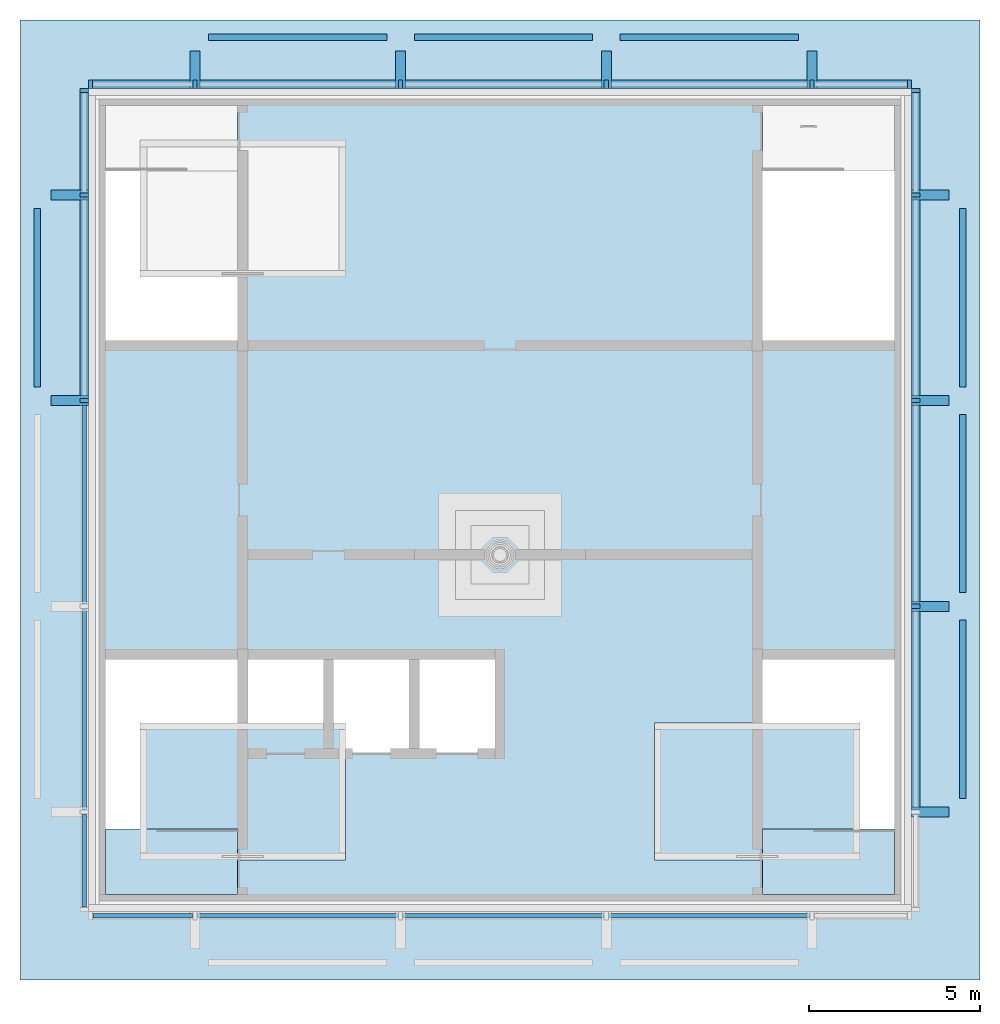
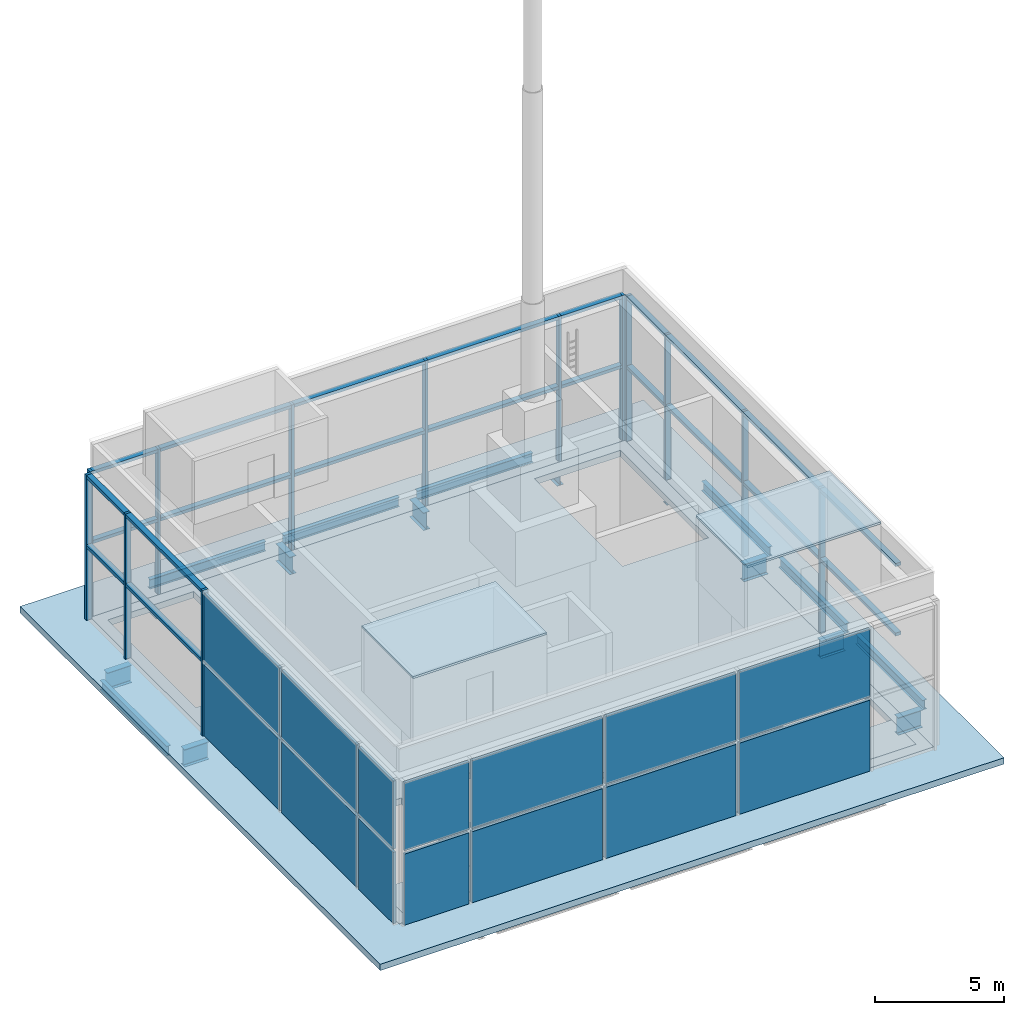
# One storey, part 2 of 8: 35 members, 17 beams, 16 plates, 4 slabs, 4 elements without a shape of their own.
"""IFC4 building model written with IfcOpenShell, lengths in metres."""

from ifc_helpers import new_model, si_unit, direction, frame, origin, origin_2d, place, context, subcontext, project, spatial, polyline, rectangle, i_section, outline, extrude, material, layer, layer_set, material_profile, profile_set, type_object, element, aggregate, save


model = new_model("IFC4")

# Units and contexts
model_context = context("Model", 3, precision=1e-05, world=origin(), true_north=direction((0.0, 1.0)))
body_context = subcontext(model_context, "Body", "Model", "MODEL_VIEW")
ifc_project = project(units=[si_unit("LENGTHUNIT", "METRE"), si_unit("AREAUNIT", "SQUARE_METRE"), si_unit("VOLUMEUNIT", "CUBIC_METRE"), si_unit("PLANEANGLEUNIT", "RADIAN"), si_unit("MASSUNIT", "GRAM", prefix="KILO")], contexts=[model_context])

# Site, building, storey
site_placement = place(None, origin())
site = spatial("IfcSite", under=ifc_project, at=site_placement, CompositionType="ELEMENT")
building_placement = place(site_placement, origin())
building = spatial("IfcBuilding", under=site, at=building_placement, Name="Amberfall Residences", CompositionType="ELEMENT")
storey_placement = place(building_placement, frame((0.0, 0.0, 301.60009765625)))
storey = spatial("IfcBuildingStorey", under=building, at=storey_placement, Name="L81 Crown", CompositionType="ELEMENT", Elevation=301.60009765625)

# Curtain wall, members
ifc_material_1 = material(Name="Bronze anodised aluminium and glass", Category="aluminium")
curtain_wall_type = type_object("IfcCurtainWallType", Name="Curtain wall CW6 crown louvre", PredefinedType="USERDEFINED", material=ifc_material_1)
curtain_wall_1_placement = place(storey_placement, origin())
curtain_wall_1 = element("IfcCurtainWall", 1, at=curtain_wall_1_placement, inside=storey, type_object=curtain_wall_type, Name="Curtain wall L81 Crown E E1", ObjectType="UNITISED CURTAIN WALL", PredefinedType="USERDEFINED")
ifc_material_2 = material(Name="Bronze anodised aluminium", Category="aluminium")
ifc_material_profile_1 = material_profile(ifc_material_2, rectangle(XDim=0.25, YDim=0.1201171875, at=origin_2d()), Name="CW6 mullion 120 x 250 bronze")
ifc_profile_set_1 = profile_set([ifc_material_profile_1], Name="Bronze anodised aluminium")
member_type_1 = type_object("IfcMemberType", Name="CW6 mullion 120 x 250 bronze", PredefinedType="MULLION", material=ifc_profile_set_1)
member_1_placement = place(storey_placement, frame((86.625, 42.39990234375, 0.0), z_axis=(0.0, 0.0, 1.0), x_axis=(-1.0, 0.0, 0.0)))
member_1 = element("IfcMember", 2, at=member_1_placement, type_object=member_type_1, Name="CW6 mullion 3", PredefinedType="MULLION", context=body_context, shape_type="SweptSolid", body=[
    extrude(rectangle(XDim=0.25, YDim=0.1201171875, at=origin_2d()), origin(), (0.0, 0.0, 1.0), 6.89990234375),
])
member_2_placement = place(storey_placement, frame((86.625, 48.39990234375, 0.0), z_axis=(0.0, 0.0, 1.0), x_axis=(-1.0, 0.0, 0.0)))
member_2 = element("IfcMember", 3, at=member_2_placement, type_object=member_type_1, Name="CW6 mullion 4", PredefinedType="MULLION", context=body_context, shape_type="SweptSolid", body=[
    extrude(rectangle(XDim=0.25, YDim=0.1201171875, at=origin_2d()), origin(), (0.0, 0.0, 1.0), 6.89990234375),
])
member_3_placement = place(storey_placement, frame((86.625, 54.39990234375, 0.0), z_axis=(0.0, 0.0, 1.0), x_axis=(-1.0, 0.0, 0.0)))
member_3 = element("IfcMember", 4, at=member_3_placement, type_object=member_type_1, Name="CW6 mullion 5", PredefinedType="MULLION", context=body_context, shape_type="SweptSolid", body=[
    extrude(rectangle(XDim=0.25, YDim=0.1201171875, at=origin_2d()), origin(), (0.0, 0.0, 1.0), 6.89990234375),
])
member_4_placement = place(storey_placement, frame((86.625, 57.43994140625, 0.0), z_axis=(0.0, 0.0, 1.0), x_axis=(-1.0, 0.0, 0.0)))
member_4 = element("IfcMember", 5, at=member_4_placement, type_object=member_type_1, Name="CW6 mullion 6", PredefinedType="MULLION", context=body_context, shape_type="SweptSolid", body=[
    extrude(rectangle(XDim=0.25, YDim=0.1201171875, at=origin_2d()), origin(), (0.0, 0.0, 1.0), 6.89990234375),
])

curtain_wall_2_placement = place(storey_placement, origin())
curtain_wall_2 = element("IfcCurtainWall", 6, at=curtain_wall_2_placement, inside=storey, type_object=curtain_wall_type, Name="Curtain wall L81 Crown N N1", ObjectType="UNITISED CURTAIN WALL", PredefinedType="USERDEFINED")
member_5_placement = place(storey_placement, frame((86.43994140625, 57.625, 0.0), z_axis=(0.0, 0.0, 1.0), x_axis=(0.0, -1.0, 0.0)))
member_5 = element("IfcMember", 7, at=member_5_placement, type_object=member_type_1, Name="CW6 mullion 1", PredefinedType="MULLION", context=body_context, shape_type="SweptSolid", body=[
    extrude(rectangle(XDim=0.25, YDim=0.1201171875, at=origin_2d()), origin(), (0.0, 0.0, 1.0), 6.89990234375),
])
member_6_placement = place(storey_placement, frame((83.60009765625, 57.625, 0.0), z_axis=(0.0, 0.0, 1.0), x_axis=(0.0, -1.0, 0.0)))
member_6 = element("IfcMember", 8, at=member_6_placement, type_object=member_type_1, Name="CW6 mullion 2", PredefinedType="MULLION", context=body_context, shape_type="SweptSolid", body=[
    extrude(rectangle(XDim=0.25, YDim=0.1201171875, at=origin_2d()), origin(), (0.0, 0.0, 1.0), 6.89990234375),
])
member_7_placement = place(storey_placement, frame((77.60009765625, 57.625, 0.0), z_axis=(0.0, 0.0, 1.0), x_axis=(0.0, -1.0, 0.0)))
member_7 = element("IfcMember", 9, at=member_7_placement, type_object=member_type_1, Name="CW6 mullion 3", PredefinedType="MULLION", context=body_context, shape_type="SweptSolid", body=[
    extrude(rectangle(XDim=0.25, YDim=0.1201171875, at=origin_2d()), origin(), (0.0, 0.0, 1.0), 6.89990234375),
])
member_8_placement = place(storey_placement, frame((71.60009765625, 57.625, 0.0), z_axis=(0.0, 0.0, 1.0), x_axis=(0.0, -1.0, 0.0)))
member_8 = element("IfcMember", 10, at=member_8_placement, type_object=member_type_1, Name="CW6 mullion 4", PredefinedType="MULLION", context=body_context, shape_type="SweptSolid", body=[
    extrude(rectangle(XDim=0.25, YDim=0.1201171875, at=origin_2d()), origin(), (0.0, 0.0, 1.0), 6.89990234375),
])
member_9_placement = place(storey_placement, frame((65.60009765625, 57.625, 0.0), z_axis=(0.0, 0.0, 1.0), x_axis=(0.0, -1.0, 0.0)))
member_9 = element("IfcMember", 11, at=member_9_placement, type_object=member_type_1, Name="CW6 mullion 5", PredefinedType="MULLION", context=body_context, shape_type="SweptSolid", body=[
    extrude(rectangle(XDim=0.25, YDim=0.1201171875, at=origin_2d()), origin(), (0.0, 0.0, 1.0), 6.89990234375),
])
member_10_placement = place(storey_placement, frame((62.56005859375, 57.625, 0.0), z_axis=(0.0, 0.0, 1.0), x_axis=(0.0, -1.0, 0.0)))
member_10 = element("IfcMember", 12, at=member_10_placement, type_object=member_type_1, Name="CW6 mullion 6", PredefinedType="MULLION", context=body_context, shape_type="SweptSolid", body=[
    extrude(rectangle(XDim=0.25, YDim=0.1201171875, at=origin_2d()), origin(), (0.0, 0.0, 1.0), 6.89990234375),
])

curtain_wall_3_placement = place(storey_placement, origin())
curtain_wall_3 = element("IfcCurtainWall", 13, at=curtain_wall_3_placement, inside=storey, type_object=curtain_wall_type, Name="Curtain wall L81 Crown W W1", ObjectType="UNITISED CURTAIN WALL", PredefinedType="USERDEFINED")
member_11_placement = place(storey_placement, frame((62.375, 57.43994140625, 0.0), z_axis=(0.0, 0.0, 1.0), x_axis=(1.0, 0.0, 0.0)))
member_11 = element("IfcMember", 14, at=member_11_placement, type_object=member_type_1, Name="CW6 mullion 1", PredefinedType="MULLION", context=body_context, shape_type="SweptSolid", body=[
    extrude(rectangle(XDim=0.25, YDim=0.1201171875, at=origin_2d()), origin(), (0.0, 0.0, 1.0), 6.89990234375),
])
member_12_placement = place(storey_placement, frame((62.375, 54.39990234375, 0.0), z_axis=(0.0, 0.0, 1.0), x_axis=(1.0, 0.0, 0.0)))
member_12 = element("IfcMember", 15, at=member_12_placement, type_object=member_type_1, Name="CW6 mullion 2", PredefinedType="MULLION", context=body_context, shape_type="SweptSolid", body=[
    extrude(rectangle(XDim=0.25, YDim=0.1201171875, at=origin_2d()), origin(), (0.0, 0.0, 1.0), 6.89990234375),
])
member_13_placement = place(storey_placement, frame((62.375, 48.39990234375, 0.0), z_axis=(0.0, 0.0, 1.0), x_axis=(1.0, 0.0, 0.0)))
member_13 = element("IfcMember", 16, at=member_13_placement, type_object=member_type_1, Name="CW6 mullion 3", PredefinedType="MULLION", context=body_context, shape_type="SweptSolid", body=[
    extrude(rectangle(XDim=0.25, YDim=0.1201171875, at=origin_2d()), origin(), (0.0, 0.0, 1.0), 6.89990234375),
])

# Member
ifc_material_profile_2 = material_profile(ifc_material_2, rectangle(XDim=0.25, YDim=0.14990234375, at=origin_2d()), Name="CW6 transom 250 x 150 bronze")
ifc_profile_set_2 = profile_set([ifc_material_profile_2], Name="Bronze anodised aluminium")
member_type_2 = type_object("IfcMemberType", Name="CW6 transom 250 x 150 bronze", PredefinedType="USERDEFINED", material=ifc_profile_set_2)
member_14_placement = place(storey_placement, frame((86.625, 36.4599609375, 3.52490234375), z_axis=(0.0, 1.0, 0.0), x_axis=(-1.0, 0.0, 0.0)))
member_14 = element("IfcMember", 17, at=member_14_placement, type_object=member_type_2, Name="CW6 transom 2.1", ObjectType="TRANSOM", PredefinedType="USERDEFINED", context=body_context, shape_type="SweptSolid", body=[
    extrude(rectangle(XDim=0.25, YDim=0.14990234375, at=origin_2d()), origin(), (0.0, 0.0, 1.0), 5.880126953125),
])

member_15_placement = place(storey_placement, frame((86.625, 36.4599609375, 6.824951171875), z_axis=(0.0, 1.0, 0.0), x_axis=(-1.0, 0.0, 0.0)))
member_15 = element("IfcMember", 18, at=member_15_placement, type_object=member_type_2, Name="CW6 transom 2.2", ObjectType="TRANSOM", PredefinedType="USERDEFINED", context=body_context, shape_type="SweptSolid", body=[
    extrude(rectangle(XDim=0.25, YDim=0.14990234375, at=origin_2d()), origin(), (0.0, 0.0, 1.0), 5.880126953125),
])

member_16_placement = place(storey_placement, frame((86.625, 42.4599609375, 3.52490234375), z_axis=(0.0, 1.0, 0.0), x_axis=(-1.0, 0.0, 0.0)))
member_16 = element("IfcMember", 19, at=member_16_placement, type_object=member_type_2, Name="CW6 transom 3.1", ObjectType="TRANSOM", PredefinedType="USERDEFINED", context=body_context, shape_type="SweptSolid", body=[
    extrude(rectangle(XDim=0.25, YDim=0.14990234375, at=origin_2d()), origin(), (0.0, 0.0, 1.0), 5.880126953125),
])

member_17_placement = place(storey_placement, frame((86.625, 42.4599609375, 6.824951171875), z_axis=(0.0, 1.0, 0.0), x_axis=(-1.0, 0.0, 0.0)))
member_17 = element("IfcMember", 20, at=member_17_placement, type_object=member_type_2, Name="CW6 transom 3.2", ObjectType="TRANSOM", PredefinedType="USERDEFINED", context=body_context, shape_type="SweptSolid", body=[
    extrude(rectangle(XDim=0.25, YDim=0.14990234375, at=origin_2d()), origin(), (0.0, 0.0, 1.0), 5.880126953125),
])

member_18_placement = place(storey_placement, frame((86.625, 48.4599609375, 3.52490234375), z_axis=(0.0, 1.0, 0.0), x_axis=(-1.0, 0.0, 0.0)))
member_18 = element("IfcMember", 21, at=member_18_placement, type_object=member_type_2, Name="CW6 transom 4.1", ObjectType="TRANSOM", PredefinedType="USERDEFINED", context=body_context, shape_type="SweptSolid", body=[
    extrude(rectangle(XDim=0.25, YDim=0.14990234375, at=origin_2d()), origin(), (0.0, 0.0, 1.0), 5.880126953125),
])

member_19_placement = place(storey_placement, frame((86.625, 48.4599609375, 6.824951171875), z_axis=(0.0, 1.0, 0.0), x_axis=(-1.0, 0.0, 0.0)))
member_19 = element("IfcMember", 22, at=member_19_placement, type_object=member_type_2, Name="CW6 transom 4.2", ObjectType="TRANSOM", PredefinedType="USERDEFINED", context=body_context, shape_type="SweptSolid", body=[
    extrude(rectangle(XDim=0.25, YDim=0.14990234375, at=origin_2d()), origin(), (0.0, 0.0, 1.0), 5.880126953125),
])

member_20_placement = place(storey_placement, frame((86.625, 54.4599609375, 3.52490234375), z_axis=(0.0, 1.0, 0.0), x_axis=(-1.0, 0.0, 0.0)))
member_20 = element("IfcMember", 23, at=member_20_placement, type_object=member_type_2, Name="CW6 transom 5.1", ObjectType="TRANSOM", PredefinedType="USERDEFINED", context=body_context, shape_type="SweptSolid", body=[
    extrude(rectangle(XDim=0.25, YDim=0.14990234375, at=origin_2d()), origin(), (0.0, 0.0, 1.0), 2.919921875),
])

member_21_placement = place(storey_placement, frame((86.625, 54.4599609375, 6.824951171875), z_axis=(0.0, 1.0, 0.0), x_axis=(-1.0, 0.0, 0.0)))
member_21 = element("IfcMember", 24, at=member_21_placement, type_object=member_type_2, Name="CW6 transom 5.2", ObjectType="TRANSOM", PredefinedType="USERDEFINED", context=body_context, shape_type="SweptSolid", body=[
    extrude(rectangle(XDim=0.25, YDim=0.14990234375, at=origin_2d()), origin(), (0.0, 0.0, 1.0), 2.919921875),
])

aggregate(curtain_wall_1, [member_1, member_2, member_3, member_4, member_14, member_15, member_16, member_17, member_18, member_19, member_20, member_21])

member_22_placement = place(storey_placement, frame((86.3798828125, 57.625, 3.52490234375), z_axis=(-1.0, 0.0, 0.0), x_axis=(0.0, -1.0, 0.0)))
member_22 = element("IfcMember", 25, at=member_22_placement, type_object=member_type_2, Name="CW6 transom 1.1", ObjectType="TRANSOM", PredefinedType="USERDEFINED", context=body_context, shape_type="SweptSolid", body=[
    extrude(rectangle(XDim=0.25, YDim=0.14990234375, at=origin_2d()), origin(), (0.0, 0.0, 1.0), 2.719970703125),
])

member_23_placement = place(storey_placement, frame((86.3798828125, 57.625, 6.824951171875), z_axis=(-1.0, 0.0, 0.0), x_axis=(0.0, -1.0, 0.0)))
member_23 = element("IfcMember", 26, at=member_23_placement, type_object=member_type_2, Name="CW6 transom 1.2", ObjectType="TRANSOM", PredefinedType="USERDEFINED", context=body_context, shape_type="SweptSolid", body=[
    extrude(rectangle(XDim=0.25, YDim=0.14990234375, at=origin_2d()), origin(), (0.0, 0.0, 1.0), 2.719970703125),
])

member_24_placement = place(storey_placement, frame((83.5400390625, 57.625, 3.52490234375), z_axis=(-1.0, 0.0, 0.0), x_axis=(0.0, -1.0, 0.0)))
member_24 = element("IfcMember", 27, at=member_24_placement, type_object=member_type_2, Name="CW6 transom 2.1", ObjectType="TRANSOM", PredefinedType="USERDEFINED", context=body_context, shape_type="SweptSolid", body=[
    extrude(rectangle(XDim=0.25, YDim=0.14990234375, at=origin_2d()), origin(), (0.0, 0.0, 1.0), 5.880126953125),
])

member_25_placement = place(storey_placement, frame((83.5400390625, 57.625, 6.824951171875), z_axis=(-1.0, 0.0, 0.0), x_axis=(0.0, -1.0, 0.0)))
member_25 = element("IfcMember", 28, at=member_25_placement, type_object=member_type_2, Name="CW6 transom 2.2", ObjectType="TRANSOM", PredefinedType="USERDEFINED", context=body_context, shape_type="SweptSolid", body=[
    extrude(rectangle(XDim=0.25, YDim=0.14990234375, at=origin_2d()), origin(), (0.0, 0.0, 1.0), 5.880126953125),
])

member_26_placement = place(storey_placement, frame((77.5400390625, 57.625, 3.52490234375), z_axis=(-1.0, 0.0, 0.0), x_axis=(0.0, -1.0, 0.0)))
member_26 = element("IfcMember", 29, at=member_26_placement, type_object=member_type_2, Name="CW6 transom 3.1", ObjectType="TRANSOM", PredefinedType="USERDEFINED", context=body_context, shape_type="SweptSolid", body=[
    extrude(rectangle(XDim=0.25, YDim=0.14990234375, at=origin_2d()), origin(), (0.0, 0.0, 1.0), 5.880126953125),
])

member_27_placement = place(storey_placement, frame((77.5400390625, 57.625, 6.824951171875), z_axis=(-1.0, 0.0, 0.0), x_axis=(0.0, -1.0, 0.0)))
member_27 = element("IfcMember", 30, at=member_27_placement, type_object=member_type_2, Name="CW6 transom 3.2", ObjectType="TRANSOM", PredefinedType="USERDEFINED", context=body_context, shape_type="SweptSolid", body=[
    extrude(rectangle(XDim=0.25, YDim=0.14990234375, at=origin_2d()), origin(), (0.0, 0.0, 1.0), 5.880126953125),
])

member_28_placement = place(storey_placement, frame((71.5400390625, 57.625, 3.52490234375), z_axis=(-1.0, 0.0, 0.0), x_axis=(0.0, -1.0, 0.0)))
member_28 = element("IfcMember", 31, at=member_28_placement, type_object=member_type_2, Name="CW6 transom 4.1", ObjectType="TRANSOM", PredefinedType="USERDEFINED", context=body_context, shape_type="SweptSolid", body=[
    extrude(rectangle(XDim=0.25, YDim=0.14990234375, at=origin_2d()), origin(), (0.0, 0.0, 1.0), 5.880126953125),
])

member_29_placement = place(storey_placement, frame((71.5400390625, 57.625, 6.824951171875), z_axis=(-1.0, 0.0, 0.0), x_axis=(0.0, -1.0, 0.0)))
member_29 = element("IfcMember", 32, at=member_29_placement, type_object=member_type_2, Name="CW6 transom 4.2", ObjectType="TRANSOM", PredefinedType="USERDEFINED", context=body_context, shape_type="SweptSolid", body=[
    extrude(rectangle(XDim=0.25, YDim=0.14990234375, at=origin_2d()), origin(), (0.0, 0.0, 1.0), 5.880126953125),
])

member_30_placement = place(storey_placement, frame((65.5400390625, 57.625, 3.52490234375), z_axis=(-1.0, 0.0, 0.0), x_axis=(0.0, -1.0, 0.0)))
member_30 = element("IfcMember", 33, at=member_30_placement, type_object=member_type_2, Name="CW6 transom 5.1", ObjectType="TRANSOM", PredefinedType="USERDEFINED", context=body_context, shape_type="SweptSolid", body=[
    extrude(rectangle(XDim=0.25, YDim=0.14990234375, at=origin_2d()), origin(), (0.0, 0.0, 1.0), 2.919921875),
])

member_31_placement = place(storey_placement, frame((65.5400390625, 57.625, 6.824951171875), z_axis=(-1.0, 0.0, 0.0), x_axis=(0.0, -1.0, 0.0)))
member_31 = element("IfcMember", 34, at=member_31_placement, type_object=member_type_2, Name="CW6 transom 5.2", ObjectType="TRANSOM", PredefinedType="USERDEFINED", context=body_context, shape_type="SweptSolid", body=[
    extrude(rectangle(XDim=0.25, YDim=0.14990234375, at=origin_2d()), origin(), (0.0, 0.0, 1.0), 2.919921875),
])

aggregate(curtain_wall_2, [member_5, member_6, member_7, member_8, member_9, member_10, member_22, member_23, member_24, member_25, member_26, member_27, member_28, member_29, member_30, member_31])

member_32_placement = place(storey_placement, frame((62.375, 57.3798828125, 3.52490234375), z_axis=(0.0, -1.0, 0.0), x_axis=(1.0, 0.0, 0.0)))
member_32 = element("IfcMember", 35, at=member_32_placement, type_object=member_type_2, Name="CW6 transom 1.1", ObjectType="TRANSOM", PredefinedType="USERDEFINED", context=body_context, shape_type="SweptSolid", body=[
    extrude(rectangle(XDim=0.25, YDim=0.14990234375, at=origin_2d()), origin(), (0.0, 0.0, 1.0), 2.919921875),
])

member_33_placement = place(storey_placement, frame((62.375, 57.3798828125, 6.824951171875), z_axis=(0.0, -1.0, 0.0), x_axis=(1.0, 0.0, 0.0)))
member_33 = element("IfcMember", 36, at=member_33_placement, type_object=member_type_2, Name="CW6 transom 1.2", ObjectType="TRANSOM", PredefinedType="USERDEFINED", context=body_context, shape_type="SweptSolid", body=[
    extrude(rectangle(XDim=0.25, YDim=0.14990234375, at=origin_2d()), origin(), (0.0, 0.0, 1.0), 2.919921875),
])

member_34_placement = place(storey_placement, frame((62.375, 54.340087890625, 3.52490234375), z_axis=(0.0, -1.0, 0.0), x_axis=(1.0, 0.0, 0.0)))
member_34 = element("IfcMember", 37, at=member_34_placement, type_object=member_type_2, Name="CW6 transom 2.1", ObjectType="TRANSOM", PredefinedType="USERDEFINED", context=body_context, shape_type="SweptSolid", body=[
    extrude(rectangle(XDim=0.25, YDim=0.14990234375, at=origin_2d()), origin(), (0.0, 0.0, 1.0), 5.880126953125),
])

member_35_placement = place(storey_placement, frame((62.375, 54.340087890625, 6.824951171875), z_axis=(0.0, -1.0, 0.0), x_axis=(1.0, 0.0, 0.0)))
member_35 = element("IfcMember", 38, at=member_35_placement, type_object=member_type_2, Name="CW6 transom 2.2", ObjectType="TRANSOM", PredefinedType="USERDEFINED", context=body_context, shape_type="SweptSolid", body=[
    extrude(rectangle(XDim=0.25, YDim=0.14990234375, at=origin_2d()), origin(), (0.0, 0.0, 1.0), 5.880126953125),
])

# Beams
ifc_material_3 = material(Name="Steel S355", Category="steel")
ifc_material_profile_3 = material_profile(ifc_material_3, i_section(OverallWidth=0.18994140625, OverallDepth=0.453369140625, WebThickness=0.008544921875, FlangeThickness=0.0126953125, FilletRadius=0.01025390625, at=origin_2d()), Name="UB 457x191x67")
ifc_profile_set_3 = profile_set([ifc_material_profile_3], Name="Steel S355")
beam_type_1 = type_object("IfcBeamType", Name="Edge beam UB 457x191x67", PredefinedType="SPANDREL", material=ifc_profile_set_3)
for number, where, z_axis, x_axis, name in (
    (39, (88.0, 36.800048828125, -0.52685546875), (0.0, 1.0, 0.0), (-1.0, 0.0, 0.0), "Edge beam B1 L81 Crown 08"),
    (40, (88.0, 42.800048828125, -0.52685546875), (0.0, 1.0, 0.0), (-1.0, 0.0, 0.0), "Edge beam B1 L81 Crown 09"),
    (41, (88.0, 48.800048828125, -0.52685546875), (0.0, 1.0, 0.0), (-1.0, 0.0, 0.0), "Edge beam B1 L81 Crown 10"),
    (42, (66.0, 59.0, -0.52685546875), (1.0, 0.0, 0.0), (0.0, 1.0, 0.0), "Edge beam B1 L81 Crown 15"),
    (43, (72.0, 59.0, -0.52685546875), (1.0, 0.0, 0.0), (0.0, 1.0, 0.0), "Edge beam B1 L81 Crown 16"),
    (44, (78.0, 59.0, -0.52685546875), (1.0, 0.0, 0.0), (0.0, 1.0, 0.0), "Edge beam B1 L81 Crown 17"),
    (45, (61.0, 48.800048828125, -0.52685546875), (0.0, 1.0, 0.0), (-1.0, 0.0, 0.0), "Edge beam B1 L81 Crown 24"),
):
    element("IfcBeam", number, at=place(storey_placement, frame(where, z_axis=z_axis, x_axis=x_axis)), inside=storey, type_object=beam_type_1, Name=name, PredefinedType="SPANDREL", context=body_context, shape_type="SweptSolid", body=[
        extrude(i_section(OverallWidth=0.18994140625, OverallDepth=0.453369140625, WebThickness=0.008544921875, FlangeThickness=0.0126953125, FilletRadius=0.01025390625, at=origin_2d()), origin(), (0.0, 0.0, 1.0), 5.199951171875),
    ])
ifc_material_profile_4 = material_profile(ifc_material_3, i_section(OverallWidth=0.29150390625, OverallDepth=0.8349609375, WebThickness=0.013916015625, FlangeThickness=0.018798828125, FilletRadius=0.017822265625, at=origin_2d()), Name="UB 838x292x176")
ifc_profile_set_4 = profile_set([ifc_material_profile_4], Name="Steel S355")
beam_type_2 = type_object("IfcBeamType", Name="Transfer girder UB 838x292x176", PredefinedType="BEAM", material=ifc_profile_set_4)
for number, where, z_axis, x_axis, name in (
    (46, (87.60009765625, 36.39990234375, -0.717529296875), (-1.0, 0.0, 0.0), (0.0, -1.0, 0.0), "Transfer girder B6 L81 Crown 11"),
    (47, (87.60009765625, 42.39990234375, -0.717529296875), (-1.0, 0.0, 0.0), (0.0, -1.0, 0.0), "Transfer girder B6 L81 Crown 12"),
    (48, (87.60009765625, 48.39990234375, -0.717529296875), (-1.0, 0.0, 0.0), (0.0, -1.0, 0.0), "Transfer girder B6 L81 Crown 13"),
    (49, (87.60009765625, 54.39990234375, -0.717529296875), (-1.0, 0.0, 0.0), (0.0, -1.0, 0.0), "Transfer girder B6 L81 Crown 14"),
    (50, (65.60009765625, 58.60009765625, -0.717529296875), (0.0, -1.0, 0.0), (1.0, 0.0, 0.0), "Transfer girder B6 L81 Crown 18"),
    (51, (71.60009765625, 58.60009765625, -0.717529296875), (0.0, -1.0, 0.0), (1.0, 0.0, 0.0), "Transfer girder B6 L81 Crown 19"),
    (52, (77.60009765625, 58.60009765625, -0.717529296875), (0.0, -1.0, 0.0), (1.0, 0.0, 0.0), "Transfer girder B6 L81 Crown 20"),
    (53, (83.60009765625, 58.60009765625, -0.717529296875), (0.0, -1.0, 0.0), (1.0, 0.0, 0.0), "Transfer girder B6 L81 Crown 21"),
    (54, (61.39990234375, 48.39990234375, -0.717529296875), (1.0, 0.0, 0.0), (0.0, 1.0, 0.0), "Transfer girder B6 L81 Crown 27"),
    (55, (61.39990234375, 54.39990234375, -0.717529296875), (1.0, 0.0, 0.0), (0.0, 1.0, 0.0), "Transfer girder B6 L81 Crown 28"),
):
    element("IfcBeam", number, at=place(storey_placement, frame(where, z_axis=z_axis, x_axis=x_axis)), inside=storey, type_object=beam_type_2, Name=name, PredefinedType="BEAM", context=body_context, shape_type="SweptSolid", body=[
        extrude(i_section(OverallWidth=0.29150390625, OverallDepth=0.8349609375, WebThickness=0.013916015625, FlangeThickness=0.018798828125, FilletRadius=0.017822265625, at=origin_2d()), origin(), (0.0, 0.0, 1.0), 1.10009765625),
    ])

# Curtain wall, plates
curtain_wall_4_placement = place(storey_placement, origin())
curtain_wall_4 = element("IfcCurtainWall", 56, at=curtain_wall_4_placement, inside=storey, type_object=curtain_wall_type, Name="Curtain wall L81 Crown S S1", ObjectType="UNITISED CURTAIN WALL", PredefinedType="USERDEFINED")
ifc_material_4 = material(Name="Bronze aluminium louvre", Category="aluminium")
ifc_layer_1 = layer(ifc_material_4, 0.1201171875)
ifc_layer_set_1 = layer_set([ifc_layer_1], Name="CW6 panel 120 louvre")
plate_type_1 = type_object("IfcPlateType", Name="CW6 panel 120 louvre", PredefinedType="CURTAIN_PANEL", material=ifc_layer_set_1)
plate_1_placement = place(storey_placement, frame((64.080078125, 33.375, 0.0), z_axis=(0.0, 0.0, 1.0), x_axis=(1.0, 0.0, 0.0)))
plate_1 = element("IfcPlate", 57, at=plate_1_placement, type_object=plate_type_1, Name="CW6 panel 1.1", PredefinedType="CURTAIN_PANEL", context=body_context, shape_type="SweptSolid", body=[
    extrude(rectangle(XDim=2.89599609375, YDim=0.1201171875, at=origin_2d()), origin(), (0.0, 0.0, 1.0), 3.375),
])
plate_2_placement = place(storey_placement, frame((64.080078125, 33.375, 3.52490234375), z_axis=(0.0, 0.0, 1.0), x_axis=(1.0, 0.0, 0.0)))
plate_2 = element("IfcPlate", 58, at=plate_2_placement, type_object=plate_type_1, Name="CW6 panel 1.2", PredefinedType="CURTAIN_PANEL", context=body_context, shape_type="SweptSolid", body=[
    extrude(rectangle(XDim=2.89599609375, YDim=0.1201171875, at=origin_2d()), origin(), (0.0, 0.0, 1.0), 3.22509765625),
])
plate_3_placement = place(storey_placement, frame((68.60009765625, 33.375, 0.0), z_axis=(0.0, 0.0, 1.0), x_axis=(1.0, 0.0, 0.0)))
plate_3 = element("IfcPlate", 59, at=plate_3_placement, type_object=plate_type_1, Name="CW6 panel 2.1", PredefinedType="CURTAIN_PANEL", context=body_context, shape_type="SweptSolid", body=[
    extrude(rectangle(XDim=5.85595703125, YDim=0.1201171875, at=origin_2d()), origin(), (0.0, 0.0, 1.0), 3.375),
])
plate_4_placement = place(storey_placement, frame((68.60009765625, 33.375, 3.52490234375), z_axis=(0.0, 0.0, 1.0), x_axis=(1.0, 0.0, 0.0)))
plate_4 = element("IfcPlate", 60, at=plate_4_placement, type_object=plate_type_1, Name="CW6 panel 2.2", PredefinedType="CURTAIN_PANEL", context=body_context, shape_type="SweptSolid", body=[
    extrude(rectangle(XDim=5.85595703125, YDim=0.1201171875, at=origin_2d()), origin(), (0.0, 0.0, 1.0), 3.22509765625),
])
plate_5_placement = place(storey_placement, frame((74.60009765625, 33.375, 0.0), z_axis=(0.0, 0.0, 1.0), x_axis=(1.0, 0.0, 0.0)))
plate_5 = element("IfcPlate", 61, at=plate_5_placement, type_object=plate_type_1, Name="CW6 panel 3.1", PredefinedType="CURTAIN_PANEL", context=body_context, shape_type="SweptSolid", body=[
    extrude(rectangle(XDim=5.85595703125, YDim=0.1201171875, at=origin_2d()), origin(), (0.0, 0.0, 1.0), 3.375),
])
plate_6_placement = place(storey_placement, frame((74.60009765625, 33.375, 3.52490234375), z_axis=(0.0, 0.0, 1.0), x_axis=(1.0, 0.0, 0.0)))
plate_6 = element("IfcPlate", 62, at=plate_6_placement, type_object=plate_type_1, Name="CW6 panel 3.2", PredefinedType="CURTAIN_PANEL", context=body_context, shape_type="SweptSolid", body=[
    extrude(rectangle(XDim=5.85595703125, YDim=0.1201171875, at=origin_2d()), origin(), (0.0, 0.0, 1.0), 3.22509765625),
])
plate_7_placement = place(storey_placement, frame((80.60009765625, 33.375, 0.0), z_axis=(0.0, 0.0, 1.0), x_axis=(1.0, 0.0, 0.0)))
plate_7 = element("IfcPlate", 63, at=plate_7_placement, type_object=plate_type_1, Name="CW6 panel 4.1", PredefinedType="CURTAIN_PANEL", context=body_context, shape_type="SweptSolid", body=[
    extrude(rectangle(XDim=5.85595703125, YDim=0.1201171875, at=origin_2d()), origin(), (0.0, 0.0, 1.0), 3.375),
])
plate_8_placement = place(storey_placement, frame((80.60009765625, 33.375, 3.52490234375), z_axis=(0.0, 0.0, 1.0), x_axis=(1.0, 0.0, 0.0)))
plate_8 = element("IfcPlate", 64, at=plate_8_placement, type_object=plate_type_1, Name="CW6 panel 4.2", PredefinedType="CURTAIN_PANEL", context=body_context, shape_type="SweptSolid", body=[
    extrude(rectangle(XDim=5.85595703125, YDim=0.1201171875, at=origin_2d()), origin(), (0.0, 0.0, 1.0), 3.22509765625),
])
aggregate(curtain_wall_4, [plate_1, plate_2, plate_3, plate_4, plate_5, plate_6, plate_7, plate_8])

# Plate
plate_9_placement = place(storey_placement, frame((62.375, 45.39990234375, 0.0), z_axis=(0.0, 0.0, 1.0), x_axis=(0.0, -1.0, 0.0)))
plate_9 = element("IfcPlate", 65, at=plate_9_placement, type_object=plate_type_1, Name="CW6 panel 3.1", PredefinedType="CURTAIN_PANEL", context=body_context, shape_type="SweptSolid", body=[
    extrude(rectangle(XDim=5.85595703125, YDim=0.1201171875, at=origin_2d()), origin(), (0.0, 0.0, 1.0), 3.375),
])

plate_10_placement = place(storey_placement, frame((62.375, 45.39990234375, 3.52490234375), z_axis=(0.0, 0.0, 1.0), x_axis=(0.0, -1.0, 0.0)))
plate_10 = element("IfcPlate", 66, at=plate_10_placement, type_object=plate_type_1, Name="CW6 panel 3.2", PredefinedType="CURTAIN_PANEL", context=body_context, shape_type="SweptSolid", body=[
    extrude(rectangle(XDim=5.85595703125, YDim=0.1201171875, at=origin_2d()), origin(), (0.0, 0.0, 1.0), 3.22509765625),
])

plate_11_placement = place(storey_placement, frame((62.375, 39.39990234375, 0.0), z_axis=(0.0, 0.0, 1.0), x_axis=(0.0, -1.0, 0.0)))
plate_11 = element("IfcPlate", 67, at=plate_11_placement, type_object=plate_type_1, Name="CW6 panel 4.1", PredefinedType="CURTAIN_PANEL", context=body_context, shape_type="SweptSolid", body=[
    extrude(rectangle(XDim=5.85595703125, YDim=0.1201171875, at=origin_2d()), origin(), (0.0, 0.0, 1.0), 3.375),
])

plate_12_placement = place(storey_placement, frame((62.375, 39.39990234375, 3.52490234375), z_axis=(0.0, 0.0, 1.0), x_axis=(0.0, -1.0, 0.0)))
plate_12 = element("IfcPlate", 68, at=plate_12_placement, type_object=plate_type_1, Name="CW6 panel 4.2", PredefinedType="CURTAIN_PANEL", context=body_context, shape_type="SweptSolid", body=[
    extrude(rectangle(XDim=5.85595703125, YDim=0.1201171875, at=origin_2d()), origin(), (0.0, 0.0, 1.0), 3.22509765625),
])

plate_13_placement = place(storey_placement, frame((62.375, 34.97998046875, 0.0), z_axis=(0.0, 0.0, 1.0), x_axis=(0.0, -1.0, 0.0)))
plate_13 = element("IfcPlate", 69, at=plate_13_placement, type_object=plate_type_1, Name="CW6 panel 5.1", PredefinedType="CURTAIN_PANEL", context=body_context, shape_type="SweptSolid", body=[
    extrude(rectangle(XDim=2.696044921875, YDim=0.1201171875, at=origin_2d()), origin(), (0.0, 0.0, 1.0), 3.375),
])

plate_14_placement = place(storey_placement, frame((62.375, 34.97998046875, 3.52490234375), z_axis=(0.0, 0.0, 1.0), x_axis=(0.0, -1.0, 0.0)))
plate_14 = element("IfcPlate", 70, at=plate_14_placement, type_object=plate_type_1, Name="CW6 panel 5.2", PredefinedType="CURTAIN_PANEL", context=body_context, shape_type="SweptSolid", body=[
    extrude(rectangle(XDim=2.696044921875, YDim=0.1201171875, at=origin_2d()), origin(), (0.0, 0.0, 1.0), 3.22509765625),
])

aggregate(curtain_wall_3, [member_11, member_12, member_13, member_32, member_33, member_34, member_35, plate_9, plate_10, plate_11, plate_12, plate_13, plate_14])

# Slab
ifc_material_5 = material(Name="Concrete C50", Category="concrete")
ifc_layer_2 = layer(ifc_material_5, 0.300048828125)
ifc_layer_set_2 = layer_set([ifc_layer_2], Name="Crown floor slab 300 C50")
slab_type_1 = type_object("IfcSlabType", Name="Crown floor slab 300 C50", PredefinedType="FLOOR", material=ifc_layer_set_2)
slab_1_placement = place(storey_placement, frame((0.0, 0.0, -0.300048828125)))
element("IfcSlab", 71, at=slab_1_placement, inside=storey, type_object=slab_type_1, Name="Floor slab S22 L81 Crown", PredefinedType="FLOOR", context=body_context, shape_type="SweptSolid", body=[
    extrude(outline(polyline([(62.5, 33.5), (62.5, 57.5), (86.5, 57.5), (86.5, 33.5), (62.5, 33.5)]), holes=[polyline([(86.0, 40.85009765625), (82.14990234375, 40.85009765625), (82.14990234375, 34.0), (86.0, 34.0), (86.0, 40.85009765625)]), polyline([(86.0, 57.0), (82.14990234375, 57.0), (82.14990234375, 50.14990234375), (86.0, 50.14990234375), (86.0, 57.0)]), polyline([(69.5, 38.10009765625), (72.0, 38.10009765625), (74.5, 38.10009765625), (74.5, 41.0), (72.0, 41.0), (69.5, 41.0), (67.0, 41.0), (67.0, 38.10009765625), (69.5, 38.10009765625)]), polyline([(63.0, 40.85009765625), (63.0, 34.0), (66.85009765625, 34.0), (66.85009765625, 40.85009765625), (63.0, 40.85009765625)]), polyline([(66.85009765625, 57.0), (63.0, 57.0), (63.0, 50.14990234375), (66.85009765625, 50.14990234375), (66.85009765625, 57.0)])]), origin(), (0.0, 0.0, 1.0), 0.300048828125),
])

# Plates
ifc_material_6 = material(Name="Aluminium standing seam roof sheet", Category="aluminium")
ifc_layer_3 = layer(ifc_material_6, 0.10009765625)
ifc_layer_set_3 = layer_set([ifc_layer_3], Name="Plant enclosure roof sheet 100")
plate_type_2 = type_object("IfcPlateType", Name="Plant enclosure roof sheet 100", PredefinedType="SHEET", material=ifc_layer_set_3)
plate_15_placement = place(storey_placement, frame((0.0, 0.0, 10.199951171875)))
element("IfcPlate", 72, at=plate_15_placement, inside=storey, type_object=plate_type_2, Name="Roof plant enclosure 1 roof sheet", PredefinedType="SHEET", context=body_context, shape_type="SweptSolid", body=[
    extrude(outline(polyline([(64.0, 35.0), (70.0, 35.0), (70.0, 39.0), (64.0, 39.0), (64.0, 35.0)])), origin(), (0.0, 0.0, 1.0), 0.099853515625),
])
plate_16_placement = place(storey_placement, frame((0.0, 0.0, 10.199951171875)))
element("IfcPlate", 73, at=plate_16_placement, inside=storey, type_object=plate_type_2, Name="Roof plant enclosure 2 roof sheet", PredefinedType="SHEET", context=body_context, shape_type="SweptSolid", body=[
    extrude(outline(polyline([(79.0, 35.0), (85.0, 35.0), (85.0, 39.0), (79.0, 39.0), (79.0, 35.0)])), origin(), (0.0, 0.0, 1.0), 0.099853515625),
])

# Slabs
ifc_layer_4 = layer(ifc_material_5, 0.300048828125)
ifc_layer_set_4 = layer_set([ifc_layer_4], Name="Roof slab 300 C50")
slab_type_2 = type_object("IfcSlabType", Name="Roof slab 300 C50", PredefinedType="ROOF", material=ifc_layer_set_4)
slab_2_placement = place(storey_placement, frame((0.0, 0.0, -0.300048828125)))
element("IfcSlab", 74, at=slab_2_placement, inside=storey, type_object=slab_type_2, Name="Roof slab S23 L81 Crown 1", PredefinedType="ROOF", context=body_context, shape_type="SweptSolid", body=[
    extrude(outline(polyline([(60.5, 31.5), (60.5, 59.5), (88.5, 59.5), (88.5, 31.5), (60.5, 31.5)]), holes=[polyline([(86.5, 57.5), (62.5, 57.5), (62.5, 33.5), (86.5, 33.5), (86.5, 57.5)])]), origin(), (0.0, 0.0, 1.0), 0.300048828125),
])
ifc_material_7 = material(Name="Concrete C40", Category="concrete")
ifc_layer_5 = layer(ifc_material_7, 0.199951171875)
ifc_layer_set_5 = layer_set([ifc_layer_5], Name="Stair landing 200")
slab_type_3 = type_object("IfcSlabType", Name="Stair landing 200", PredefinedType="LANDING", material=ifc_layer_set_5)
slab_3_placement = place(storey_placement, frame((0.0, 0.0, -0.2001953125)))
element("IfcSlab", 75, at=slab_3_placement, inside=storey, type_object=slab_type_3, Name="L81 Crown stair 1 floor landing", PredefinedType="LANDING", context=body_context, shape_type="SweptSolid", body=[
    extrude(outline(polyline([(66.85009765625, 34.0), (66.85009765625, 35.89990234375), (63.0, 35.89990234375), (63.0, 34.0), (66.85009765625, 34.0)])), origin(), (0.0, 0.0, 1.0), 0.2001953125),
])
slab_4_placement = place(storey_placement, frame((0.0, 0.0, -0.2001953125)))
element("IfcSlab", 76, at=slab_4_placement, inside=storey, type_object=slab_type_3, Name="L81 Crown stair 2 floor landing", PredefinedType="LANDING", context=body_context, shape_type="SweptSolid", body=[
    extrude(outline(polyline([(86.0, 34.0), (86.0, 35.89990234375), (82.14990234375, 35.89990234375), (82.14990234375, 34.0), (86.0, 34.0)])), origin(), (0.0, 0.0, 1.0), 0.2001953125),
])

save(model, "model.ifc")
